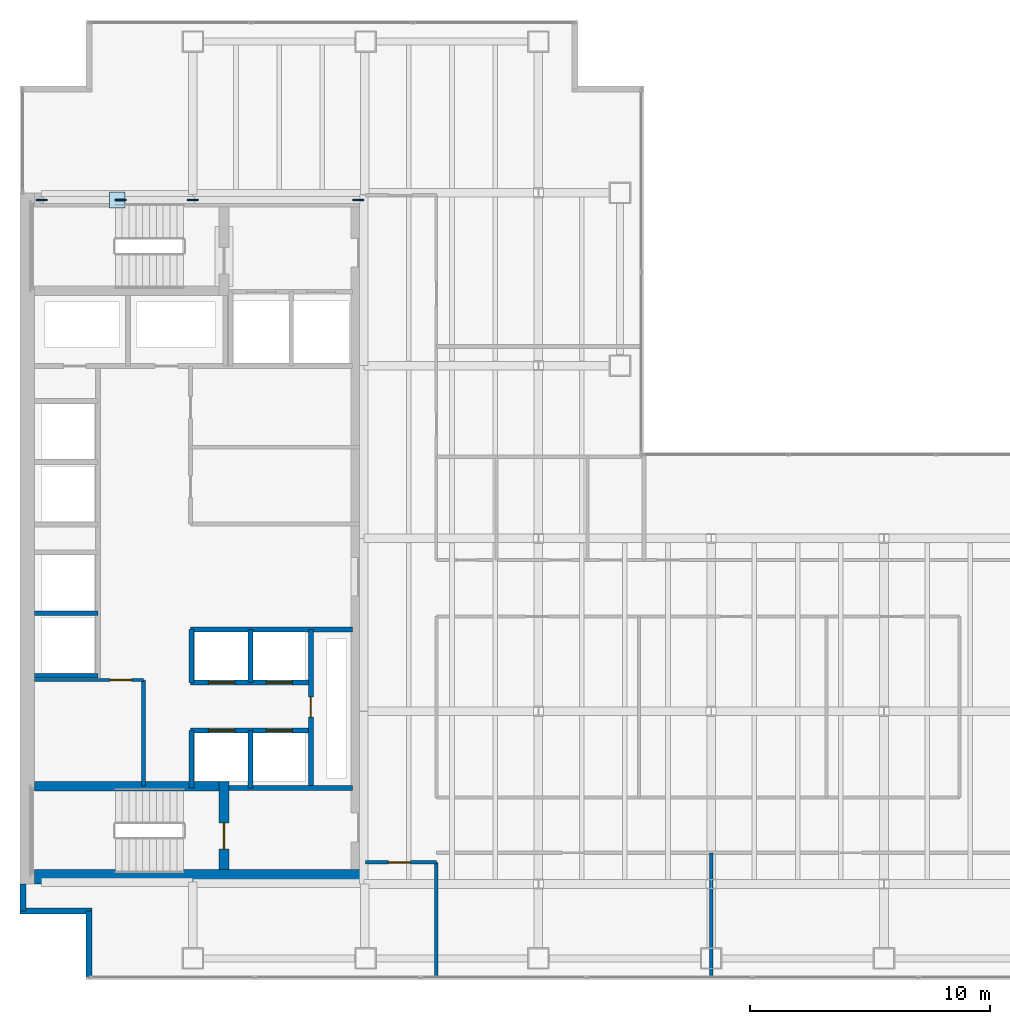
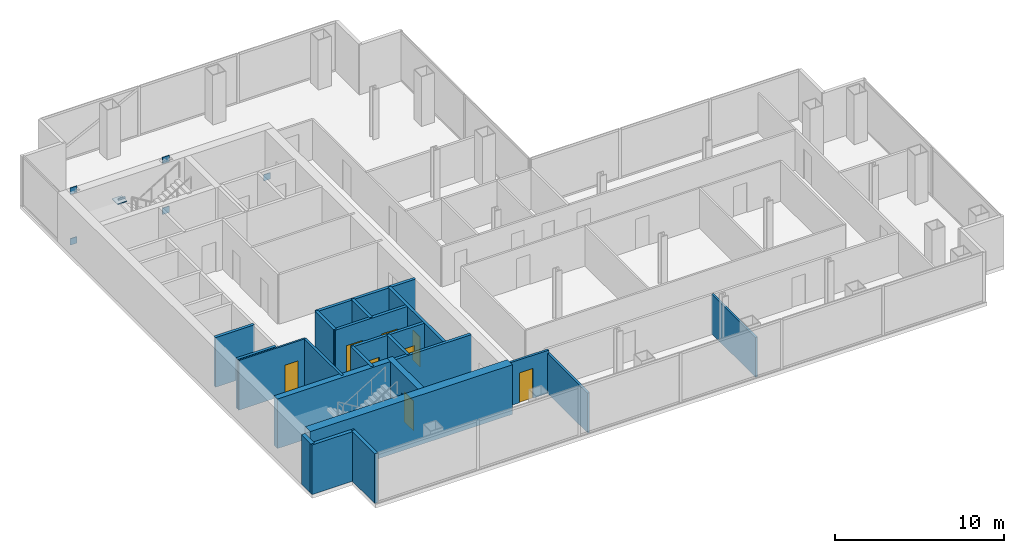
# One storey, part 20 of 23: 22 walls, 8 doors, 7 plates, 8 openings.
"""IFC4 building model written with IfcOpenShell, lengths in metres."""

from ifc_helpers import new_model, si_unit, direction, frame, frame_2d, origin, origin_2d, place, context, subcontext, project, spatial, rectangle, extrude, material, layer, layer_set, type_object, element, fill, save


model = new_model("IFC4")

# Units and contexts
model_context = context("Model", 3, precision=1e-05, world=origin(), true_north=direction((0.0, 1.0)))
body_context = subcontext(model_context, "Body", "Model", "MODEL_VIEW")
ifc_project = project(units=[si_unit("LENGTHUNIT", "METRE"), si_unit("AREAUNIT", "SQUARE_METRE"), si_unit("VOLUMEUNIT", "CUBIC_METRE"), si_unit("PLANEANGLEUNIT", "RADIAN"), si_unit("MASSUNIT", "GRAM", prefix="KILO")], contexts=[model_context])

# Site, building, storey
site_placement = place(None, origin())
site = spatial("IfcSite", under=ifc_project, at=site_placement, CompositionType="ELEMENT")
building_placement = place(site_placement, origin())
building = spatial("IfcBuilding", under=site, at=building_placement, Name="Cobrela Telecom Tower", CompositionType="ELEMENT")
storey_placement = place(building_placement, frame((0.0, 0.0, 125.300048828125)))
storey = spatial("IfcBuildingStorey", under=building, at=storey_placement, Name="L31", CompositionType="ELEMENT", Elevation=125.300048828125)

# Plates
ifc_material_1 = material(Name="Steel ASTM A572 Grade 50", Category="steel")
ifc_layer_1 = layer(ifc_material_1, 0.0419921875)
ifc_layer_set_1 = layer_set([ifc_layer_1], Name="Steel ASTM A572 Grade 50")
plate_type = type_object("IfcPlateType", Name="PLT-NODE-ND1", PredefinedType="USERDEFINED", material=ifc_layer_set_1)
for number, where, z_axis, x_axis, name in (
    (1, (0.89990234375, 35.699951171875, -0.27001953125), (0.0, 0.0, 1.0), (1.0, 0.0, 0.0), "Steel node plate PLT-MBR-EXO-L31-N1-A-0"),
    (2, (7.199951171875, 35.699951171875, 3.389892578125), (0.0, 0.0, 1.0), (1.0, 0.0, 0.0), "Steel node plate PLT-MBR-EXO-L31-N1-A-1"),
    (3, (7.199951171875, 35.699951171875, -0.27001953125), (0.0, 0.0, 1.0), (-1.0, 0.0, 0.0), "Steel node plate PLT-MBR-EXO-L31-N1-B1-0"),
    (4, (4.1953125, 35.699951171875, 1.4755859375), (0.0, 0.0, 1.0), (-1.0, 0.0, 0.0), "Steel node plate PLT-MBR-EXO-L31-N1-B1-1"),
    (5, (0.89990234375, 35.699951171875, 3.389892578125), (0.0, 0.0, 1.0), (-1.0, 0.0, 0.0), "Steel node plate PLT-MBR-EXO-L31-N1-B2-1"),
):
    element("IfcPlate", number, at=place(storey_placement, frame(where, z_axis=z_axis, x_axis=x_axis)), inside=storey, type_object=plate_type, Name=name, ObjectType="GUSSET PLATE", PredefinedType="USERDEFINED", context=body_context, shape_type="SweptSolid", body=[
        extrude(rectangle(XDim=0.4599609375, YDim=0.044921875, at=origin_2d()), origin(), (0.0, 0.0, 1.0), 0.4599609375),
    ])
plate_1_placement = place(storey_placement, frame((4.050048828125, 35.699951171875, 1.767578125), z_axis=(0.0, 0.0, 1.0), x_axis=(1.0, 0.0, 0.0)))
element("IfcPlate", 6, at=plate_1_placement, inside=storey, type_object=plate_type, Name="L31 Core Flange Steel X-Brace Central X-Crossing Gusset Plate", ObjectType="GUSSET PLATE", PredefinedType="USERDEFINED", context=body_context, shape_type="SweptSolid", body=[
    extrude(rectangle(XDim=0.64990234375, YDim=0.64990234375, at=origin_2d()), origin(), (0.0, 0.0, 1.0), 0.044921875),
])
plate_2_placement = place(storey_placement, frame((14.10009765625, 35.699951171875, -0.27001953125), z_axis=(0.0, 0.0, 1.0), x_axis=(-1.0, 0.0, 0.0)))
element("IfcPlate", 7, at=plate_2_placement, inside=storey, type_object=plate_type, Name="Steel node plate PLT-MBR-EXO-L31-N2-0", ObjectType="GUSSET PLATE", PredefinedType="USERDEFINED", context=body_context, shape_type="SweptSolid", body=[
    extrude(rectangle(XDim=0.4599609375, YDim=0.044921875, at=origin_2d()), origin(), (0.0, 0.0, 1.0), 0.4599609375),
])

# Walls
ifc_material_2 = material(Name="Concrete C50/60", Category="concrete")
ifc_layer_2 = layer(ifc_material_2, 0.60009765625)
ifc_layer_set_2 = layer_set([ifc_layer_2], Name="Concrete C50/60")
wall_type_1 = type_object("IfcWallType", Name="WALL-CORE-C50-600", PredefinedType="SHEAR", material=ifc_layer_set_2)
wall_1_placement = place(storey_placement, frame((0.60009765625, 7.5, 0.0), z_axis=(0.0, 0.0, 1.0), x_axis=(1.0, 0.0, 0.0)))
element("IfcWall", 8, at=wall_1_placement, inside=storey, type_object=wall_type_1, Name="L31 South Core Shear Wall", PredefinedType="SHEAR", context=body_context, shape_type="SweptSolid", body=[
    extrude(rectangle(XDim=13.7998046875, YDim=0.60009765625, at=frame_2d((6.89990234375, 0.0))), origin(), (0.0, 0.0, 1.0), 3.579833984375),
])
ifc_material_3 = material(Name="Concrete C40/50", Category="concrete")
ifc_layer_3 = layer(ifc_material_3, 0.239990234375)
ifc_layer_set_3 = layer_set([ifc_layer_3], Name="Concrete C40/50")
wall_type_2 = type_object("IfcWallType", Name="WALL-EXT-300", PredefinedType="STANDARD", material=ifc_layer_set_3)
wall_2_placement = place(storey_placement, frame((2.8701171875, 3.320068359375, 0.0), z_axis=(0.0, 0.0, 1.0), x_axis=(0.0, 1.0, 0.0)))
element("IfcWall", 9, at=wall_2_placement, inside=storey, type_object=wall_type_2, Name="L31 Insulated Facade Wall 01", PredefinedType="STANDARD", context=body_context, shape_type="SweptSolid", body=[
    extrude(rectangle(XDim=2.75, YDim=0.239990234375, at=frame_2d((1.375, 0.0))), origin(), (0.0, 0.0, 1.0), 3.579833984375),
])
wall_3_placement = place(storey_placement, frame((2.989990234375, 6.070068359375, 0.0), z_axis=(0.0, 0.0, 1.0), x_axis=(-1.0, 0.0, 0.0)))
element("IfcWall", 10, at=wall_3_placement, inside=storey, type_object=wall_type_2, Name="L31 Insulated Facade Wall 02", PredefinedType="STANDARD", context=body_context, shape_type="SweptSolid", body=[
    extrude(rectangle(XDim=2.989990234375, YDim=0.239990234375, at=frame_2d((1.4951171875, 0.0))), origin(), (0.0, 0.0, 1.0), 3.579833984375),
])
wall_4_placement = place(storey_placement, frame((0.1201171875, 6.070068359375, 0.0), z_axis=(0.0, 0.0, 1.0), x_axis=(0.0, 1.0, 0.0)))
element("IfcWall", 11, at=wall_4_placement, inside=storey, type_object=wall_type_2, Name="L31 Insulated Facade Wall 03", PredefinedType="STANDARD", context=body_context, shape_type="SweptSolid", body=[
    extrude(rectangle(XDim=1.1298828125, YDim=0.239990234375, at=frame_2d((0.56494140625, 0.0))), origin(), (0.0, 0.0, 1.0), 3.579833984375),
])

# Wall, opening, door
ifc_material_4 = material(Name="Fire-Rated Gypsum Plasterboard")
ifc_layer_4 = layer(ifc_material_4, 0.110107421875)
ifc_layer_set_4 = layer_set([ifc_layer_4], Name="Fire-Rated Gypsum Plasterboard")
wall_type_3 = type_object("IfcWallType", Name="WALL-PART-110", PredefinedType="PARTITIONING", material=ifc_layer_set_4)
wall_5_placement = place(storey_placement, frame((0.60009765625, 15.699951171875, 0.0), z_axis=(0.0, 0.0, 1.0), x_axis=(1.0, 0.0, 0.0)))
wall_5 = element("IfcWall", 12, at=wall_5_placement, inside=storey, type_object=wall_type_3, Name="L31 Interior Partition CW-FLEX-N", PredefinedType="PARTITIONING", context=body_context, shape_type="SweptSolid", body=[
    extrude(rectangle(XDim=4.5498046875, YDim=0.110107421875, at=frame_2d((2.27490234375, 0.0))), origin(), (0.0, 0.0, 1.0), 3.579833984375),
])
opening_1_placement = place(wall_5_placement, frame((3.14990234375, 0.0, 0.0)))
opening_1 = element("IfcOpeningElement", 13, at=opening_1_placement, cuts=wall_5, Name="Opening DR-41", PredefinedType="OPENING", context=body_context, shape_type="SweptSolid", body=[
    extrude(rectangle(XDim=0.89990234375, YDim=2.14990234375, at=frame_2d((0.449951171875, 1.074951171875))), frame((0.0, 0.06689453125, 0.0), z_axis=(0.0, -1.0, 0.0), x_axis=(1.0, 0.0, 0.0)), (0.0, 0.0, 1.0), 0.134033203125),
])
ifc_material_5 = material(Name="Solid Engineered Oak Timber", Category="wood")
door_type_1 = type_object("IfcDoorType", Name="DOOR-INT-900", OperationType="SINGLE_SWING_LEFT", PredefinedType="DOOR", material=ifc_material_5)
door_1_placement = place(opening_1_placement, origin())
door_1 = element("IfcDoor", 14, at=door_1_placement, inside=storey, type_object=door_type_1, Name="L31 Door DR-41", OperationType="SINGLE_SWING_LEFT", OverallHeight=2.14990234375, OverallWidth=0.89990234375, PredefinedType="DOOR", context=body_context, shape_type="SweptSolid", body=[
    extrude(rectangle(XDim=0.89990234375, YDim=2.14990234375, at=frame_2d((0.449951171875, 1.074951171875))), frame((0.0, 0.02490234375, 0.0), z_axis=(0.0, -1.0, 0.0), x_axis=(1.0, 0.0, 0.0)), (0.0, 0.0, 1.0), 0.050048828125),
])
fill(opening_1, door_1)

# Wall
ifc_layer_5 = layer(ifc_material_4, 0.135009765625)
ifc_layer_set_5 = layer_set([ifc_layer_5], Name="Fire-Rated Gypsum Plasterboard")
wall_type_4 = type_object("IfcWallType", Name="WALL-PART-135", PredefinedType="PARTITIONING", material=ifc_layer_set_5)
wall_6_placement = place(storey_placement, frame((28.800048828125, 3.320068359375, 0.0), z_axis=(0.0, 0.0, 1.0), x_axis=(0.0, 1.0, 0.0)))
element("IfcWall", 15, at=wall_6_placement, inside=storey, type_object=wall_type_4, Name="L31 Interior Partition W-USV-1", PredefinedType="PARTITIONING", context=body_context, shape_type="SweptSolid", body=[
    extrude(rectangle(XDim=5.179931640625, YDim=0.135009765625, at=frame_2d((2.58984375, 0.0))), origin(), (0.0, 0.0, 1.0), 2.868896484375),
])

# Wall, opening, door
ifc_layer_6 = layer(ifc_material_4, 0.14990234375)
ifc_layer_set_6 = layer_set([ifc_layer_6], Name="Fire-Rated Gypsum Plasterboard")
wall_type_5 = type_object("IfcWallType", Name="WALL-PART-150", PredefinedType="PARTITIONING", material=ifc_layer_set_6)
wall_7_placement = place(storey_placement, frame((14.39990234375, 8.10009765625, 0.0), z_axis=(0.0, 0.0, 1.0), x_axis=(1.0, 0.0, 0.0)))
wall_7 = element("IfcWall", 16, at=wall_7_placement, inside=storey, type_object=wall_type_5, Name="L31 Interior Partition W-UW-S0", PredefinedType="PARTITIONING", context=body_context, shape_type="SweptSolid", body=[
    extrude(rectangle(XDim=2.9501953125, YDim=0.14990234375, at=frame_2d((1.47509765625, 0.0))), origin(), (0.0, 0.0, 1.0), 3.097900390625),
])
opening_2_placement = place(wall_7_placement, frame((0.949951171875, 0.0, 0.0)))
opening_2 = element("IfcOpeningElement", 17, at=opening_2_placement, cuts=wall_7, Name="Opening DR-45", PredefinedType="OPENING", context=body_context, shape_type="SweptSolid", body=[
    extrude(rectangle(XDim=0.919921875, YDim=2.14990234375, at=frame_2d((0.4599609375, 1.074951171875))), frame((0.0, 0.0869140625, 0.0), z_axis=(0.0, -1.0, 0.0), x_axis=(1.0, 0.0, 0.0)), (0.0, 0.0, 1.0), 0.173828125),
])
door_type_2 = type_object("IfcDoorType", Name="DOOR-INT-920", OperationType="SINGLE_SWING_LEFT", PredefinedType="DOOR", material=ifc_material_5)
door_2_placement = place(opening_2_placement, origin())
door_2 = element("IfcDoor", 18, at=door_2_placement, inside=storey, type_object=door_type_2, Name="L31 Door DR-45", OperationType="SINGLE_SWING_RIGHT", OverallHeight=2.14990234375, OverallWidth=0.919921875, PredefinedType="DOOR", context=body_context, shape_type="SweptSolid", body=[
    extrude(rectangle(XDim=0.919921875, YDim=2.14990234375, at=frame_2d((0.4599609375, 1.074951171875))), frame((0.0, 0.02490234375, 0.0), z_axis=(0.0, -1.0, 0.0), x_axis=(1.0, 0.0, 0.0)), (0.0, 0.0, 1.0), 0.050048828125),
])
fill(opening_2, door_2)

# Walls
wall_8_placement = place(storey_placement, frame((17.35009765625, 3.320068359375, 0.0), z_axis=(0.0, 0.0, 1.0), x_axis=(0.0, 1.0, 0.0)))
element("IfcWall", 19, at=wall_8_placement, inside=storey, type_object=wall_type_5, Name="L31 Interior Partition W-USW-E", PredefinedType="PARTITIONING", context=body_context, shape_type="SweptSolid", body=[
    extrude(rectangle(XDim=4.780029296875, YDim=0.14990234375, at=frame_2d((2.39013671875, 0.0))), origin(), (0.0, 0.0, 1.0), 2.868896484375),
])
ifc_layer_7 = layer(ifc_material_4, 0.159912109375)
ifc_layer_set_7 = layer_set([ifc_layer_7], Name="Fire-Rated Gypsum Plasterboard")
wall_type_6 = type_object("IfcWallType", Name="WALL-PART-160", PredefinedType="PARTITIONING", material=ifc_layer_set_7)
wall_9_placement = place(storey_placement, frame((5.14990234375, 11.280029296875, 0.0), z_axis=(0.0, 0.0, 1.0), x_axis=(0.0, 1.0, 0.0)))
element("IfcWall", 20, at=wall_9_placement, inside=storey, type_object=wall_type_6, Name="L31 Interior Partition CW-FLEX-E", PredefinedType="PARTITIONING", context=body_context, shape_type="SweptSolid", body=[
    extrude(rectangle(XDim=4.419921875, YDim=0.159912109375, at=frame_2d((2.2099609375, 0.0))), origin(), (0.0, 0.0, 1.0), 3.579833984375),
])
ifc_layer_8 = layer(ifc_material_4, 0.199951171875)
ifc_layer_set_8 = layer_set([ifc_layer_8], Name="Fire-Rated Gypsum Plasterboard")
wall_type_7 = type_object("IfcWallType", Name="WALL-SHAFT-200", PredefinedType="PARTITIONING", material=ifc_layer_set_8)
wall_10_placement = place(storey_placement, frame((8.699951171875, 11.199951171875, 0.0), z_axis=(0.0, 0.0, 1.0), x_axis=(1.0, 0.0, 0.0)))
element("IfcWall", 21, at=wall_10_placement, inside=storey, type_object=wall_type_7, Name="L31 Shaft Enclosure CW-ST2L-N", PredefinedType="PARTITIONING", context=body_context, shape_type="SweptSolid", body=[
    extrude(rectangle(XDim=5.150146484375, YDim=0.199951171875, at=frame_2d((2.5751953125, 0.0))), origin(), (0.0, 0.0, 1.0), 3.579833984375),
])
for number, where, z_axis, x_axis, name in (
    (22, (0.60009765625, 15.8798828125, 0.0), (0.0, 0.0, 1.0), (1.0, 0.0, 0.0), "L31 Shaft Enclosure CW-PLH-D9"),
    (23, (0.60009765625, 18.47998046875, 0.0), (0.0, 0.0, 1.0), (1.0, 0.0, 0.0), "L31 Shaft Enclosure CW-PLH-D10"),
):
    element("IfcWall", number, at=place(storey_placement, frame(where, z_axis=z_axis, x_axis=x_axis)), inside=storey, type_object=wall_type_7, Name=name, PredefinedType="PARTITIONING", context=body_context, shape_type="SweptSolid", body=[
        extrude(rectangle(XDim=2.64990234375, YDim=0.199951171875, at=frame_2d((1.324951171875, 0.0))), origin(), (0.0, 0.0, 1.0), 3.579833984375),
    ])
wall_11_placement = place(storey_placement, frame((7.10009765625, 17.800048828125, 0.0), z_axis=(0.0, 0.0, 1.0), x_axis=(1.0, 0.0, 0.0)))
element("IfcWall", 24, at=wall_11_placement, inside=storey, type_object=wall_type_7, Name="L31 Shaft Enclosure CW-PLM-T0", PredefinedType="PARTITIONING", context=body_context, shape_type="SweptSolid", body=[
    extrude(rectangle(XDim=6.75, YDim=0.199951171875, at=frame_2d((3.375, 0.0))), origin(), (0.0, 0.0, 1.0), 3.579833984375),
])

# Wall, openings, doors
wall_12_placement = place(storey_placement, frame((7.10009765625, 15.60009765625, 0.0), z_axis=(0.0, 0.0, 1.0), x_axis=(1.0, 0.0, 0.0)))
wall_12 = element("IfcWall", 25, at=wall_12_placement, inside=storey, type_object=wall_type_7, Name="L31 Shaft Enclosure CW-PLM-N", PredefinedType="PARTITIONING", context=body_context, shape_type="SweptSolid", body=[
    extrude(rectangle(XDim=5.02001953125, YDim=0.199951171875, at=frame_2d((2.510009765625, 0.0))), origin(), (0.0, 0.0, 1.0), 3.579833984375),
])
opening_3_placement = place(wall_12_placement, frame((0.75, 0.0, 0.0)))
opening_3 = element("IfcOpeningElement", 26, at=opening_3_placement, cuts=wall_12, Name="Opening LD-1", PredefinedType="OPENING", context=body_context, shape_type="SweptSolid", body=[
    extrude(rectangle(XDim=1.10009765625, YDim=2.199951171875, at=frame_2d((0.550048828125, 1.10009765625))), frame((0.0, 0.11181640625, 0.0), z_axis=(0.0, -1.0, 0.0), x_axis=(1.0, 0.0, 0.0)), (0.0, 0.0, 1.0), 0.223876953125),
])
opening_4_placement = place(wall_12_placement, frame((3.14990234375, 0.0, 0.0)))
opening_4 = element("IfcOpeningElement", 27, at=opening_4_placement, cuts=wall_12, Name="Opening LD-1", PredefinedType="OPENING", context=body_context, shape_type="SweptSolid", body=[
    extrude(rectangle(XDim=1.10009765625, YDim=2.199951171875, at=frame_2d((0.550048828125, 1.10009765625))), frame((0.0, 0.11181640625, 0.0), z_axis=(0.0, -1.0, 0.0), x_axis=(1.0, 0.0, 0.0)), (0.0, 0.0, 1.0), 0.223876953125),
])
ifc_material_6 = material(Name="Steel ASTM A36", Category="steel")
door_type_3 = type_object("IfcDoorType", Name="DOOR-LD-PL", OperationType="SINGLE_SWING_LEFT", PredefinedType="DOOR", material=ifc_material_6)
door_3_placement = place(opening_3_placement, origin())
door_3 = element("IfcDoor", 28, at=door_3_placement, inside=storey, type_object=door_type_3, Name="L31 Lift Landing Door LD-1", OperationType="DOUBLE_DOOR_SLIDING", OverallHeight=2.199951171875, OverallWidth=1.10009765625, PredefinedType="DOOR", context=body_context, shape_type="SweptSolid", body=[
    extrude(rectangle(XDim=1.10009765625, YDim=2.199951171875, at=frame_2d((0.550048828125, 1.10009765625))), frame((0.0, 0.02490234375, 0.0), z_axis=(0.0, -1.0, 0.0), x_axis=(1.0, 0.0, 0.0)), (0.0, 0.0, 1.0), 0.050048828125),
])
fill(opening_3, door_3)
door_4_placement = place(opening_4_placement, origin())
door_4 = element("IfcDoor", 29, at=door_4_placement, inside=storey, type_object=door_type_3, Name="L31 Lift Landing Door LD-1", OperationType="DOUBLE_DOOR_SLIDING", OverallHeight=2.199951171875, OverallWidth=1.10009765625, PredefinedType="DOOR", context=body_context, shape_type="SweptSolid", body=[
    extrude(rectangle(XDim=1.10009765625, YDim=2.199951171875, at=frame_2d((0.550048828125, 1.10009765625))), frame((0.0, 0.02490234375, 0.0), z_axis=(0.0, -1.0, 0.0), x_axis=(1.0, 0.0, 0.0)), (0.0, 0.0, 1.0), 0.050048828125),
])
fill(opening_4, door_4)

wall_13_placement = place(storey_placement, frame((7.10009765625, 13.60009765625, 0.0), z_axis=(0.0, 0.0, 1.0), x_axis=(1.0, 0.0, 0.0)))
wall_13 = element("IfcWall", 30, at=wall_13_placement, inside=storey, type_object=wall_type_7, Name="L31 Shaft Enclosure CW-PLM-S", PredefinedType="PARTITIONING", context=body_context, shape_type="SweptSolid", body=[
    extrude(rectangle(XDim=5.02001953125, YDim=0.199951171875, at=frame_2d((2.510009765625, 0.0))), origin(), (0.0, 0.0, 1.0), 3.579833984375),
])
opening_5_placement = place(wall_13_placement, frame((0.75, 0.0, 0.0)))
opening_5 = element("IfcOpeningElement", 31, at=opening_5_placement, cuts=wall_13, Name="Opening LD-1", PredefinedType="OPENING", context=body_context, shape_type="SweptSolid", body=[
    extrude(rectangle(XDim=1.10009765625, YDim=2.199951171875, at=frame_2d((0.550048828125, 1.10009765625))), frame((0.0, 0.11181640625, 0.0), z_axis=(0.0, -1.0, 0.0), x_axis=(1.0, 0.0, 0.0)), (0.0, 0.0, 1.0), 0.223876953125),
])
opening_6_placement = place(wall_13_placement, frame((3.14990234375, 0.0, 0.0)))
opening_6 = element("IfcOpeningElement", 32, at=opening_6_placement, cuts=wall_13, Name="Opening LD-1", PredefinedType="OPENING", context=body_context, shape_type="SweptSolid", body=[
    extrude(rectangle(XDim=1.10009765625, YDim=2.199951171875, at=frame_2d((0.550048828125, 1.10009765625))), frame((0.0, 0.11181640625, 0.0), z_axis=(0.0, -1.0, 0.0), x_axis=(1.0, 0.0, 0.0)), (0.0, 0.0, 1.0), 0.223876953125),
])
door_5_placement = place(opening_5_placement, origin())
door_5 = element("IfcDoor", 33, at=door_5_placement, inside=storey, type_object=door_type_3, Name="L31 Lift Landing Door LD-1", OperationType="DOUBLE_DOOR_SLIDING", OverallHeight=2.199951171875, OverallWidth=1.10009765625, PredefinedType="DOOR", context=body_context, shape_type="SweptSolid", body=[
    extrude(rectangle(XDim=1.10009765625, YDim=2.199951171875, at=frame_2d((0.550048828125, 1.10009765625))), frame((0.0, 0.02490234375, 0.0), z_axis=(0.0, -1.0, 0.0), x_axis=(1.0, 0.0, 0.0)), (0.0, 0.0, 1.0), 0.050048828125),
])
fill(opening_5, door_5)
door_6_placement = place(opening_6_placement, origin())
door_6 = element("IfcDoor", 34, at=door_6_placement, inside=storey, type_object=door_type_3, Name="L31 Lift Landing Door LD-1", OperationType="DOUBLE_DOOR_SLIDING", OverallHeight=2.199951171875, OverallWidth=1.10009765625, PredefinedType="DOOR", context=body_context, shape_type="SweptSolid", body=[
    extrude(rectangle(XDim=1.10009765625, YDim=2.199951171875, at=frame_2d((0.550048828125, 1.10009765625))), frame((0.0, 0.02490234375, 0.0), z_axis=(0.0, -1.0, 0.0), x_axis=(1.0, 0.0, 0.0)), (0.0, 0.0, 1.0), 0.050048828125),
])
fill(opening_6, door_6)

# Walls
wall_14_placement = place(storey_placement, frame((7.14990234375, 15.60009765625, 0.0), z_axis=(0.0, 0.0, 1.0), x_axis=(0.0, 1.0, 0.0)))
element("IfcWall", 35, at=wall_14_placement, inside=storey, type_object=wall_type_7, Name="L31 Shaft Enclosure CW-PLM-V1", PredefinedType="PARTITIONING", context=body_context, shape_type="SweptSolid", body=[
    extrude(rectangle(XDim=2.199951171875, YDim=0.199951171875, at=frame_2d((1.10009765625, 0.0))), origin(), (0.0, 0.0, 1.0), 3.579833984375),
])
wall_15_placement = place(storey_placement, frame((7.14990234375, 11.199951171875, 0.0), z_axis=(0.0, 0.0, 1.0), x_axis=(0.0, 1.0, 0.0)))
element("IfcWall", 36, at=wall_15_placement, inside=storey, type_object=wall_type_7, Name="L31 Shaft Enclosure CW-PLM-V1B", PredefinedType="PARTITIONING", context=body_context, shape_type="SweptSolid", body=[
    extrude(rectangle(XDim=2.400146484375, YDim=0.199951171875, at=frame_2d((1.2001953125, 0.0))), origin(), (0.0, 0.0, 1.0), 3.579833984375),
])
wall_16_placement = place(storey_placement, frame((9.60009765625, 15.60009765625, 0.0), z_axis=(0.0, 0.0, 1.0), x_axis=(0.0, 1.0, 0.0)))
element("IfcWall", 37, at=wall_16_placement, inside=storey, type_object=wall_type_7, Name="L31 Shaft Enclosure CW-PLM-V2", PredefinedType="PARTITIONING", context=body_context, shape_type="SweptSolid", body=[
    extrude(rectangle(XDim=2.199951171875, YDim=0.199951171875, at=frame_2d((1.10009765625, 0.0))), origin(), (0.0, 0.0, 1.0), 3.579833984375),
])
wall_17_placement = place(storey_placement, frame((9.60009765625, 11.199951171875, 0.0), z_axis=(0.0, 0.0, 1.0), x_axis=(0.0, 1.0, 0.0)))
element("IfcWall", 38, at=wall_17_placement, inside=storey, type_object=wall_type_7, Name="L31 Shaft Enclosure CW-PLM-V2B", PredefinedType="PARTITIONING", context=body_context, shape_type="SweptSolid", body=[
    extrude(rectangle(XDim=2.400146484375, YDim=0.199951171875, at=frame_2d((1.2001953125, 0.0))), origin(), (0.0, 0.0, 1.0), 3.579833984375),
])

# Wall, opening, door
wall_18_placement = place(storey_placement, frame((12.1201171875, 11.199951171875, 0.0), z_axis=(0.0, 0.0, 1.0), x_axis=(0.0, 1.0, 0.0)))
wall_18 = element("IfcWall", 39, at=wall_18_placement, inside=storey, type_object=wall_type_7, Name="L31 Shaft Enclosure CW-PLM-V3", PredefinedType="PARTITIONING", context=body_context, shape_type="SweptSolid", body=[
    extrude(rectangle(XDim=6.60009765625, YDim=0.199951171875, at=frame_2d((3.300048828125, 0.0))), origin(), (0.0, 0.0, 1.0), 3.579833984375),
])
opening_7_placement = place(wall_18_placement, frame((2.949951171875, 0.0, 0.0)))
opening_7 = element("IfcOpeningElement", 40, at=opening_7_placement, cuts=wall_18, Name="Opening DR-11", PredefinedType="OPENING", context=body_context, shape_type="SweptSolid", body=[
    extrude(rectangle(XDim=0.85009765625, YDim=2.14990234375, at=frame_2d((0.425048828125, 1.074951171875))), frame((0.0, 0.11181640625, 0.0), z_axis=(0.0, -1.0, 0.0), x_axis=(1.0, 0.0, 0.0)), (0.0, 0.0, 1.0), 0.223876953125),
])
door_type_4 = type_object("IfcDoorType", Name="DOOR-INT-850", OperationType="SINGLE_SWING_LEFT", PredefinedType="DOOR", material=ifc_material_5)
door_7_placement = place(opening_7_placement, origin())
door_7 = element("IfcDoor", 41, at=door_7_placement, inside=storey, type_object=door_type_4, Name="L31 Door DR-11", OperationType="SINGLE_SWING_RIGHT", OverallHeight=2.14990234375, OverallWidth=0.85009765625, PredefinedType="DOOR", context=body_context, shape_type="SweptSolid", body=[
    extrude(rectangle(XDim=0.85009765625, YDim=2.14990234375, at=frame_2d((0.425048828125, 1.074951171875))), frame((0.0, 0.02490234375, 0.0), z_axis=(0.0, -1.0, 0.0), x_axis=(1.0, 0.0, 0.0)), (0.0, 0.0, 1.0), 0.050048828125),
])
fill(opening_7, door_7)

# Wall
ifc_layer_9 = layer(ifc_material_3, 0.39990234375)
ifc_layer_set_9 = layer_set([ifc_layer_9], Name="Concrete C40/50")
wall_type_8 = type_object("IfcWallType", Name="WALL-SHAFT-C40-400", PredefinedType="SHEAR", material=ifc_layer_set_9)
wall_19_placement = place(storey_placement, frame((0.60009765625, 11.280029296875, 0.0), z_axis=(0.0, 0.0, 1.0), x_axis=(1.0, 0.0, 0.0)))
element("IfcWall", 42, at=wall_19_placement, inside=storey, type_object=wall_type_8, Name="L31 South Stair Shear Wall", PredefinedType="SHEAR", context=body_context, shape_type="SweptSolid", body=[
    extrude(rectangle(XDim=7.699951171875, YDim=0.39990234375, at=frame_2d((3.85009765625, 0.0))), origin(), (0.0, 0.0, 1.0), 3.579833984375),
])

# Wall, opening, door
wall_20_placement = place(storey_placement, frame((8.5, 7.800048828125, 0.0), z_axis=(0.0, 0.0, 1.0), x_axis=(0.0, 1.0, 0.0)))
wall_20 = element("IfcWall", 43, at=wall_20_placement, inside=storey, type_object=wall_type_8, Name="L31 South Stair Lobby Shear Wall", PredefinedType="SHEAR", context=body_context, shape_type="SweptSolid", body=[
    extrude(rectangle(XDim=3.679931640625, YDim=0.39990234375, at=frame_2d((1.83984375, 0.0))), origin(), (0.0, 0.0, 1.0), 3.579833984375),
])
opening_8_placement = place(wall_20_placement, frame((0.85009765625, 0.0, 0.0)))
opening_8 = element("IfcOpeningElement", 44, at=opening_8_placement, cuts=wall_20, Name="Opening FD-90", PredefinedType="OPENING", context=body_context, shape_type="SweptSolid", body=[
    extrude(rectangle(XDim=1.10009765625, YDim=2.14990234375, at=frame_2d((0.550048828125, 1.074951171875))), frame((0.0, 0.2119140625, 0.0), z_axis=(0.0, -1.0, 0.0), x_axis=(1.0, 0.0, 0.0)), (0.0, 0.0, 1.0), 0.423828125),
])
door_type_5 = type_object("IfcDoorType", Name="DOOR-FD90-1100", OperationType="SINGLE_SWING_LEFT", PredefinedType="DOOR", material=ifc_material_6)
door_8_placement = place(opening_8_placement, origin())
door_8 = element("IfcDoor", 45, at=door_8_placement, inside=storey, type_object=door_type_5, Name="L31 Door FD-90", OperationType="SINGLE_SWING_LEFT", OverallHeight=2.14990234375, OverallWidth=1.10009765625, PredefinedType="DOOR", context=body_context, shape_type="SweptSolid", body=[
    extrude(rectangle(XDim=1.10009765625, YDim=2.14990234375, at=frame_2d((0.550048828125, 1.074951171875))), frame((0.0, 0.02490234375, 0.0), z_axis=(0.0, -1.0, 0.0), x_axis=(1.0, 0.0, 0.0)), (0.0, 0.0, 1.0), 0.050048828125),
])
fill(opening_8, door_8)

save(model, "model.ifc")
